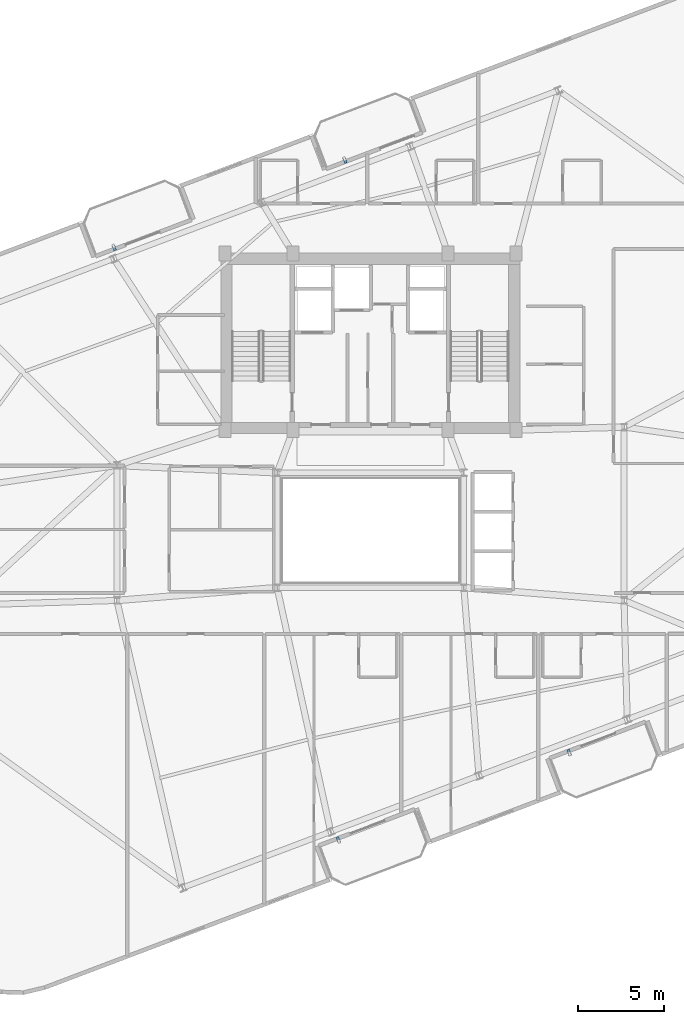
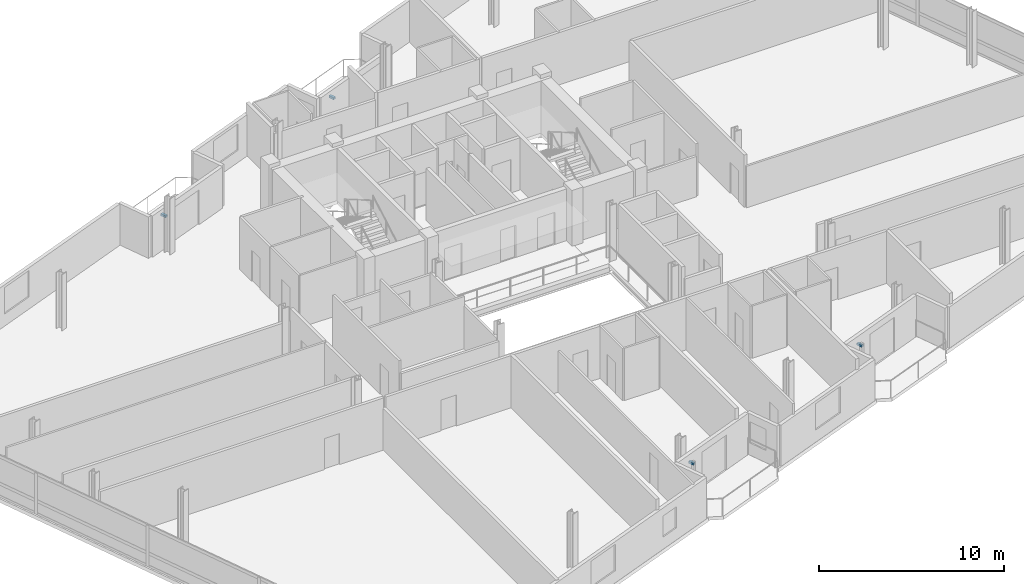
# One storey, part 18 of 20: 4 discrete accessories.
"""IFC4 building model written with IfcOpenShell, lengths in metres."""

from ifc_helpers import new_model, si_unit, direction, frame, origin, origin_2d, place, context, subcontext, project, spatial, rectangle, extrude, source, transform, mapped, material, type_object, element, save


model = new_model("IFC4")

# Units and contexts
model_context = context("Model", 3, precision=1e-05, world=origin(), true_north=direction((0.0, 1.0)))
body_context = subcontext(model_context, "Body", "Model", "MODEL_VIEW")
ifc_project = project(units=[si_unit("LENGTHUNIT", "METRE"), si_unit("AREAUNIT", "SQUARE_METRE"), si_unit("VOLUMEUNIT", "CUBIC_METRE"), si_unit("PLANEANGLEUNIT", "RADIAN"), si_unit("MASSUNIT", "GRAM", prefix="KILO")], contexts=[model_context])

# Site, building, storey
site_placement = place(None, origin())
site = spatial("IfcSite", under=ifc_project, at=site_placement, CompositionType="ELEMENT")
building_placement = place(site_placement, origin())
building = spatial("IfcBuilding", under=site, at=building_placement, Name="Varnelok Gate Tower", CompositionType="ELEMENT")
storey_placement = place(building_placement, frame((0.0, 0.0, 238.60009765625)))
storey = spatial("IfcBuildingStorey", under=building, at=storey_placement, Name="L61", CompositionType="ELEMENT", Elevation=238.60009765625)

# Discrete accessories
ifc_material = material(Name="Structural Steel ASTM A500 Grade C", Category="steel")
discrete_accessory_type = type_object("IfcDiscreteAccessoryType", Name="ACC-BAGUETTE-BRK", PredefinedType="BRACKET", material=ifc_material)
shared_shape = source(origin(), body_context, "Body", "SweptSolid", [
    extrude(rectangle(XDim=0.159912109375, YDim=0.340087890625, at=origin_2d()), origin(), (0.0, 0.0, 1.0), 0.139892578125),
])
for number, where, z_axis, x_axis, name in (
    (1, (37.322509765625, 4.83984375, 1.97998046875), (0.0, 0.0, 1.0), (0.935221751401, 0.354062530786, 0.0), "L61 Terracotta Baguette Bracket 1.1"),
    (2, (50.789794921875, 9.9384765625, 1.97998046875), (0.0, 0.0, 1.0), (0.935221751401, 0.354062530786, 0.0), "L61 Terracotta Baguette Bracket 2.1"),
    (3, (24.243408203125, 39.386962890625, 1.97998046875), (0.0, 0.0, 1.0), (0.935221751401, 0.354062530786, 0.0), "L61 Terracotta Baguette Bracket 3.1"),
    (4, (37.710693359375, 44.485595703125, 1.97998046875), (0.0, 0.0, 1.0), (0.935221751401, 0.354062530786, 0.0), "L61 Terracotta Baguette Bracket 4.1"),
):
    element("IfcDiscreteAccessory", number, at=place(storey_placement, frame(where, z_axis=z_axis, x_axis=x_axis)), inside=storey, type_object=discrete_accessory_type, Name=name, PredefinedType="BRACKET", context=body_context, shape_type="MappedRepresentation", body=[
        mapped(shared_shape, transform((0.0, 0.0, 0.0), scale=1.0)),
    ])

save(model, "model.ifc")
